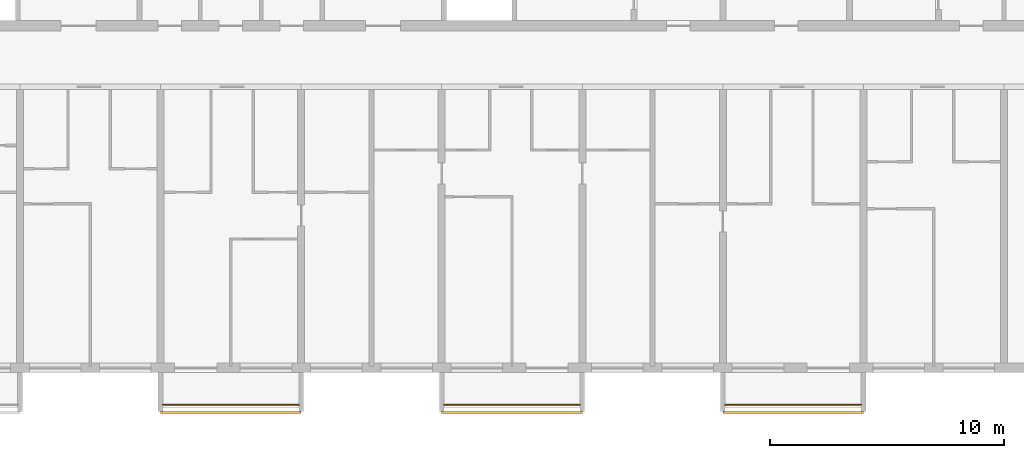
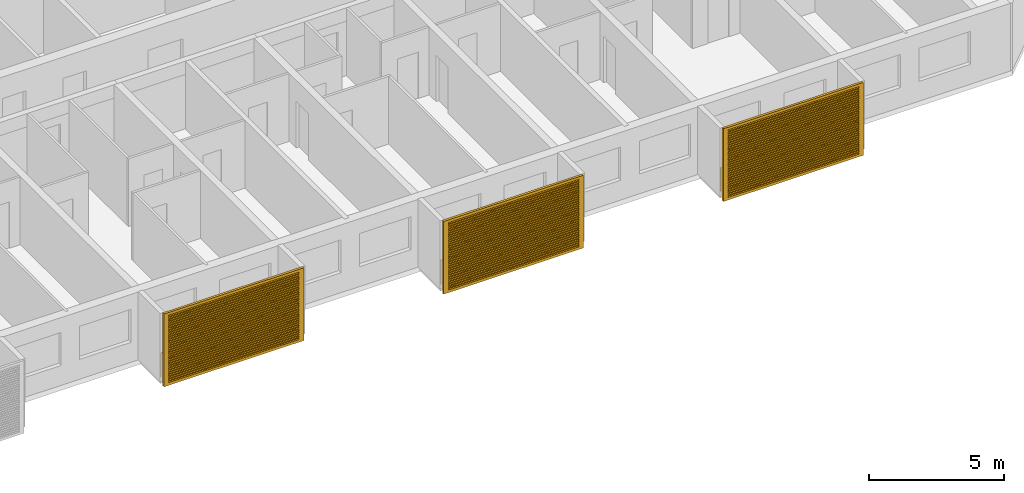
# One storey, part 16 of 33: 3 railings, 3 shading devices.
"""IFC4 building model written with IfcOpenShell, lengths in metres."""

from ifc_helpers import new_model, si_unit, direction, frame, origin, origin_2d, place, context, subcontext, project, spatial, polyline, circle, outline, extrude, source, transform, mapped, material, material_profile, profile_set, type_object, element, save


model = new_model("IFC4")

# Units and contexts
model_context = context("Model", 3, precision=1e-05, world=origin(), true_north=direction((0.0, 1.0)))
body_context = subcontext(model_context, "Body", "Model", "MODEL_VIEW")
ifc_project = project(units=[si_unit("LENGTHUNIT", "METRE"), si_unit("AREAUNIT", "SQUARE_METRE"), si_unit("VOLUMEUNIT", "CUBIC_METRE"), si_unit("PLANEANGLEUNIT", "RADIAN"), si_unit("MASSUNIT", "GRAM", prefix="KILO")], contexts=[model_context])

# Site, building, storey
site_placement = place(None, origin())
site = spatial("IfcSite", under=ifc_project, at=site_placement, CompositionType="ELEMENT")
building_placement = place(site_placement, origin())
building = spatial("IfcBuilding", under=site, at=building_placement, Name="Poui Terraces", CompositionType="ELEMENT")
storey_placement = place(building_placement, frame((0.0, 0.0, 132.300048828125)))
storey = spatial("IfcBuildingStorey", under=building, at=storey_placement, Name="L36", CompositionType="ELEMENT", Elevation=132.300048828125)

# Railings
ifc_material_1 = material(Name="Painted steel fretwork", Category="steel")
railing_type = type_object("IfcRailingType", Name="BALCONY GUARD 1100", PredefinedType="GUARDRAIL", material=ifc_material_1)
for number, where, name in (
    (1, (48.10009765625, -1.570068359375, 0.0), "BALCONY GUARD"),
    (2, (60.10009765625, -1.570068359375, 0.0), "BALCONY GUARD"),
    (3, (72.10009765625, -1.570068359375, 0.0), "BALCONY GUARD"),
):
    element("IfcRailing", number, at=place(storey_placement, frame(where)), inside=storey, type_object=railing_type, Name=name, PredefinedType="GUARDRAIL", context=body_context, shape_type="SweptSolid", body=[
        extrude(circle(Radius=0.02392578125, at=origin_2d()), frame((0.0, 0.0, 1.076171875), z_axis=(1.0, 0.0, 0.0), x_axis=(0.0, 1.0, 0.0)), (0.0, 0.0, 1.0), 5.7998046875),
        extrude(circle(Radius=0.02099609375, at=origin_2d()), origin(), (0.0, 0.0, 1.0), 1.052001953125),
        extrude(circle(Radius=0.02099609375, at=origin_2d()), frame((0.966552734375, 0.0, 0.0)), (0.0, 0.0, 1.0), 1.052001953125),
        extrude(circle(Radius=0.02099609375, at=origin_2d()), frame((1.933349609375, 0.0, 0.0)), (0.0, 0.0, 1.0), 1.052001953125),
        extrude(circle(Radius=0.02099609375, at=origin_2d()), frame((2.89990234375, 0.0, 0.0)), (0.0, 0.0, 1.0), 1.052001953125),
        extrude(circle(Radius=0.02099609375, at=origin_2d()), frame((3.866455078125, 0.0, 0.0)), (0.0, 0.0, 1.0), 1.052001953125),
        extrude(circle(Radius=0.02099609375, at=origin_2d()), frame((4.833251953125, 0.0, 0.0)), (0.0, 0.0, 1.0), 1.052001953125),
        extrude(circle(Radius=0.02099609375, at=origin_2d()), frame((5.7998046875, 0.0, 0.0)), (0.0, 0.0, 1.0), 1.052001953125),
    ])

# Shading devices
ifc_material_2 = material(Name="Aluminium louvre", Category="aluminium")
ifc_material_profile = material_profile(ifc_material_2, outline(polyline([(-3.0, -1.64990234375), (3.0, -1.64990234375), (3.0, 1.64990234375), (-3.0, 1.64990234375), (-3.0, -1.64990234375)]), holes=[polyline([(-2.800048828125, -1.530029296875), (2.800048828125, -1.530029296875), (2.800048828125, -1.469970703125), (-2.800048828125, -1.469970703125), (-2.800048828125, -1.530029296875)]), polyline([(-2.800048828125, -1.429931640625), (2.800048828125, -1.429931640625), (2.800048828125, -1.3701171875), (-2.800048828125, -1.3701171875), (-2.800048828125, -1.429931640625)]), polyline([(-2.800048828125, -1.330078125), (2.800048828125, -1.330078125), (2.800048828125, -1.27001953125), (-2.800048828125, -1.27001953125), (-2.800048828125, -1.330078125)]), polyline([(-2.800048828125, -1.22998046875), (2.800048828125, -1.22998046875), (2.800048828125, -1.169921875), (-2.800048828125, -1.169921875), (-2.800048828125, -1.22998046875)]), polyline([(-2.800048828125, -1.1298828125), (2.800048828125, -1.1298828125), (2.800048828125, -1.070068359375), (-2.800048828125, -1.070068359375), (-2.800048828125, -1.1298828125)]), polyline([(-2.800048828125, -1.030029296875), (2.800048828125, -1.030029296875), (2.800048828125, -0.969970703125), (-2.800048828125, -0.969970703125), (-2.800048828125, -1.030029296875)]), polyline([(-2.800048828125, -0.929931640625), (2.800048828125, -0.929931640625), (2.800048828125, -0.8701171875), (-2.800048828125, -0.8701171875), (-2.800048828125, -0.929931640625)]), polyline([(-2.800048828125, -0.830078125), (2.800048828125, -0.830078125), (2.800048828125, -0.77001953125), (-2.800048828125, -0.77001953125), (-2.800048828125, -0.830078125)]), polyline([(-2.800048828125, -0.72998046875), (2.800048828125, -0.72998046875), (2.800048828125, -0.669921875), (-2.800048828125, -0.669921875), (-2.800048828125, -0.72998046875)]), polyline([(-2.800048828125, -0.6298828125), (2.800048828125, -0.6298828125), (2.800048828125, -0.570068359375), (-2.800048828125, -0.570068359375), (-2.800048828125, -0.6298828125)]), polyline([(-2.800048828125, -0.530029296875), (2.800048828125, -0.530029296875), (2.800048828125, -0.469970703125), (-2.800048828125, -0.469970703125), (-2.800048828125, -0.530029296875)]), polyline([(-2.800048828125, -0.429931640625), (2.800048828125, -0.429931640625), (2.800048828125, -0.3701171875), (-2.800048828125, -0.3701171875), (-2.800048828125, -0.429931640625)]), polyline([(-2.800048828125, -0.330078125), (2.800048828125, -0.330078125), (2.800048828125, -0.27001953125), (-2.800048828125, -0.27001953125), (-2.800048828125, -0.330078125)]), polyline([(-2.800048828125, -0.22998046875), (2.800048828125, -0.22998046875), (2.800048828125, -0.169921875), (-2.800048828125, -0.169921875), (-2.800048828125, -0.22998046875)]), polyline([(-2.800048828125, -0.1298828125), (2.800048828125, -0.1298828125), (2.800048828125, -0.070068359375), (-2.800048828125, -0.070068359375), (-2.800048828125, -0.1298828125)]), polyline([(-2.800048828125, -0.030029296875), (2.800048828125, -0.030029296875), (2.800048828125, 0.030029296875), (-2.800048828125, 0.030029296875), (-2.800048828125, -0.030029296875)]), polyline([(-2.800048828125, 0.070068359375), (2.800048828125, 0.070068359375), (2.800048828125, 0.1298828125), (-2.800048828125, 0.1298828125), (-2.800048828125, 0.070068359375)]), polyline([(-2.800048828125, 0.169921875), (2.800048828125, 0.169921875), (2.800048828125, 0.22998046875), (-2.800048828125, 0.22998046875), (-2.800048828125, 0.169921875)]), polyline([(-2.800048828125, 0.27001953125), (2.800048828125, 0.27001953125), (2.800048828125, 0.330078125), (-2.800048828125, 0.330078125), (-2.800048828125, 0.27001953125)]), polyline([(-2.800048828125, 0.3701171875), (2.800048828125, 0.3701171875), (2.800048828125, 0.429931640625), (-2.800048828125, 0.429931640625), (-2.800048828125, 0.3701171875)]), polyline([(-2.800048828125, 0.469970703125), (2.800048828125, 0.469970703125), (2.800048828125, 0.530029296875), (-2.800048828125, 0.530029296875), (-2.800048828125, 0.469970703125)]), polyline([(-2.800048828125, 0.570068359375), (2.800048828125, 0.570068359375), (2.800048828125, 0.6298828125), (-2.800048828125, 0.6298828125), (-2.800048828125, 0.570068359375)]), polyline([(-2.800048828125, 0.669921875), (2.800048828125, 0.669921875), (2.800048828125, 0.72998046875), (-2.800048828125, 0.72998046875), (-2.800048828125, 0.669921875)]), polyline([(-2.800048828125, 0.77001953125), (2.800048828125, 0.77001953125), (2.800048828125, 0.830078125), (-2.800048828125, 0.830078125), (-2.800048828125, 0.77001953125)]), polyline([(-2.800048828125, 0.8701171875), (2.800048828125, 0.8701171875), (2.800048828125, 0.929931640625), (-2.800048828125, 0.929931640625), (-2.800048828125, 0.8701171875)]), polyline([(-2.800048828125, 0.969970703125), (2.800048828125, 0.969970703125), (2.800048828125, 1.030029296875), (-2.800048828125, 1.030029296875), (-2.800048828125, 0.969970703125)]), polyline([(-2.800048828125, 1.070068359375), (2.800048828125, 1.070068359375), (2.800048828125, 1.1298828125), (-2.800048828125, 1.1298828125), (-2.800048828125, 1.070068359375)]), polyline([(-2.800048828125, 1.169921875), (2.800048828125, 1.169921875), (2.800048828125, 1.22998046875), (-2.800048828125, 1.22998046875), (-2.800048828125, 1.169921875)]), polyline([(-2.800048828125, 1.27001953125), (2.800048828125, 1.27001953125), (2.800048828125, 1.330078125), (-2.800048828125, 1.330078125), (-2.800048828125, 1.27001953125)]), polyline([(-2.800048828125, 1.3701171875), (2.800048828125, 1.3701171875), (2.800048828125, 1.429931640625), (-2.800048828125, 1.429931640625), (-2.800048828125, 1.3701171875)]), polyline([(-2.800048828125, 1.469970703125), (2.800048828125, 1.469970703125), (2.800048828125, 1.530029296875), (-2.800048828125, 1.530029296875), (-2.800048828125, 1.469970703125)])]), Name="JALOUSIE LOUVRE SHUTTER 6000X3300")
ifc_profile_set = profile_set([ifc_material_profile], Name="Aluminium louvre")
shading_device_type = type_object("IfcShadingDeviceType", Name="JALOUSIE LOUVRE SHUTTER 6000X3300", PredefinedType="JALOUSIE", material=ifc_profile_set)
shared_shape = source(origin(), body_context, "Body", "SweptSolid", [
    extrude(outline(polyline([(-3.0, -1.64990234375), (3.0, -1.64990234375), (3.0, 1.64990234375), (-3.0, 1.64990234375), (-3.0, -1.64990234375)]), holes=[polyline([(-2.800048828125, -1.530029296875), (2.800048828125, -1.530029296875), (2.800048828125, -1.469970703125), (-2.800048828125, -1.469970703125), (-2.800048828125, -1.530029296875)]), polyline([(-2.800048828125, -1.429931640625), (2.800048828125, -1.429931640625), (2.800048828125, -1.3701171875), (-2.800048828125, -1.3701171875), (-2.800048828125, -1.429931640625)]), polyline([(-2.800048828125, -1.330078125), (2.800048828125, -1.330078125), (2.800048828125, -1.27001953125), (-2.800048828125, -1.27001953125), (-2.800048828125, -1.330078125)]), polyline([(-2.800048828125, -1.22998046875), (2.800048828125, -1.22998046875), (2.800048828125, -1.169921875), (-2.800048828125, -1.169921875), (-2.800048828125, -1.22998046875)]), polyline([(-2.800048828125, -1.1298828125), (2.800048828125, -1.1298828125), (2.800048828125, -1.070068359375), (-2.800048828125, -1.070068359375), (-2.800048828125, -1.1298828125)]), polyline([(-2.800048828125, -1.030029296875), (2.800048828125, -1.030029296875), (2.800048828125, -0.969970703125), (-2.800048828125, -0.969970703125), (-2.800048828125, -1.030029296875)]), polyline([(-2.800048828125, -0.929931640625), (2.800048828125, -0.929931640625), (2.800048828125, -0.8701171875), (-2.800048828125, -0.8701171875), (-2.800048828125, -0.929931640625)]), polyline([(-2.800048828125, -0.830078125), (2.800048828125, -0.830078125), (2.800048828125, -0.77001953125), (-2.800048828125, -0.77001953125), (-2.800048828125, -0.830078125)]), polyline([(-2.800048828125, -0.72998046875), (2.800048828125, -0.72998046875), (2.800048828125, -0.669921875), (-2.800048828125, -0.669921875), (-2.800048828125, -0.72998046875)]), polyline([(-2.800048828125, -0.6298828125), (2.800048828125, -0.6298828125), (2.800048828125, -0.570068359375), (-2.800048828125, -0.570068359375), (-2.800048828125, -0.6298828125)]), polyline([(-2.800048828125, -0.530029296875), (2.800048828125, -0.530029296875), (2.800048828125, -0.469970703125), (-2.800048828125, -0.469970703125), (-2.800048828125, -0.530029296875)]), polyline([(-2.800048828125, -0.429931640625), (2.800048828125, -0.429931640625), (2.800048828125, -0.3701171875), (-2.800048828125, -0.3701171875), (-2.800048828125, -0.429931640625)]), polyline([(-2.800048828125, -0.330078125), (2.800048828125, -0.330078125), (2.800048828125, -0.27001953125), (-2.800048828125, -0.27001953125), (-2.800048828125, -0.330078125)]), polyline([(-2.800048828125, -0.22998046875), (2.800048828125, -0.22998046875), (2.800048828125, -0.169921875), (-2.800048828125, -0.169921875), (-2.800048828125, -0.22998046875)]), polyline([(-2.800048828125, -0.1298828125), (2.800048828125, -0.1298828125), (2.800048828125, -0.070068359375), (-2.800048828125, -0.070068359375), (-2.800048828125, -0.1298828125)]), polyline([(-2.800048828125, -0.030029296875), (2.800048828125, -0.030029296875), (2.800048828125, 0.030029296875), (-2.800048828125, 0.030029296875), (-2.800048828125, -0.030029296875)]), polyline([(-2.800048828125, 0.070068359375), (2.800048828125, 0.070068359375), (2.800048828125, 0.1298828125), (-2.800048828125, 0.1298828125), (-2.800048828125, 0.070068359375)]), polyline([(-2.800048828125, 0.169921875), (2.800048828125, 0.169921875), (2.800048828125, 0.22998046875), (-2.800048828125, 0.22998046875), (-2.800048828125, 0.169921875)]), polyline([(-2.800048828125, 0.27001953125), (2.800048828125, 0.27001953125), (2.800048828125, 0.330078125), (-2.800048828125, 0.330078125), (-2.800048828125, 0.27001953125)]), polyline([(-2.800048828125, 0.3701171875), (2.800048828125, 0.3701171875), (2.800048828125, 0.429931640625), (-2.800048828125, 0.429931640625), (-2.800048828125, 0.3701171875)]), polyline([(-2.800048828125, 0.469970703125), (2.800048828125, 0.469970703125), (2.800048828125, 0.530029296875), (-2.800048828125, 0.530029296875), (-2.800048828125, 0.469970703125)]), polyline([(-2.800048828125, 0.570068359375), (2.800048828125, 0.570068359375), (2.800048828125, 0.6298828125), (-2.800048828125, 0.6298828125), (-2.800048828125, 0.570068359375)]), polyline([(-2.800048828125, 0.669921875), (2.800048828125, 0.669921875), (2.800048828125, 0.72998046875), (-2.800048828125, 0.72998046875), (-2.800048828125, 0.669921875)]), polyline([(-2.800048828125, 0.77001953125), (2.800048828125, 0.77001953125), (2.800048828125, 0.830078125), (-2.800048828125, 0.830078125), (-2.800048828125, 0.77001953125)]), polyline([(-2.800048828125, 0.8701171875), (2.800048828125, 0.8701171875), (2.800048828125, 0.929931640625), (-2.800048828125, 0.929931640625), (-2.800048828125, 0.8701171875)]), polyline([(-2.800048828125, 0.969970703125), (2.800048828125, 0.969970703125), (2.800048828125, 1.030029296875), (-2.800048828125, 1.030029296875), (-2.800048828125, 0.969970703125)]), polyline([(-2.800048828125, 1.070068359375), (2.800048828125, 1.070068359375), (2.800048828125, 1.1298828125), (-2.800048828125, 1.1298828125), (-2.800048828125, 1.070068359375)]), polyline([(-2.800048828125, 1.169921875), (2.800048828125, 1.169921875), (2.800048828125, 1.22998046875), (-2.800048828125, 1.22998046875), (-2.800048828125, 1.169921875)]), polyline([(-2.800048828125, 1.27001953125), (2.800048828125, 1.27001953125), (2.800048828125, 1.330078125), (-2.800048828125, 1.330078125), (-2.800048828125, 1.27001953125)]), polyline([(-2.800048828125, 1.3701171875), (2.800048828125, 1.3701171875), (2.800048828125, 1.429931640625), (-2.800048828125, 1.429931640625), (-2.800048828125, 1.3701171875)]), polyline([(-2.800048828125, 1.469970703125), (2.800048828125, 1.469970703125), (2.800048828125, 1.530029296875), (-2.800048828125, 1.530029296875), (-2.800048828125, 1.469970703125)])]), origin(), (0.0, 0.0, 1.0), 0.099853515625),
])
for number, where, z_axis, x_axis, name in (
    (4, (51.0, -1.85009765625, 1.449951171875), (0.0, -1.0, 0.0), (1.0, 0.0, 0.0), "JALOUSIE LOUVRE SHUTTER"),
    (5, (63.0, -1.85009765625, 1.449951171875), (0.0, -1.0, 0.0), (1.0, 0.0, 0.0), "JALOUSIE LOUVRE SHUTTER"),
    (6, (75.0, -1.85009765625, 1.449951171875), (0.0, -1.0, 0.0), (1.0, 0.0, 0.0), "JALOUSIE LOUVRE SHUTTER"),
):
    element("IfcShadingDevice", number, at=place(storey_placement, frame(where, z_axis=z_axis, x_axis=x_axis)), inside=storey, type_object=shading_device_type, Name=name, PredefinedType="JALOUSIE", context=body_context, shape_type="MappedRepresentation", body=[
        mapped(shared_shape, transform((0.0, 0.0, 0.0))),
    ])

save(model, "model.ifc")
